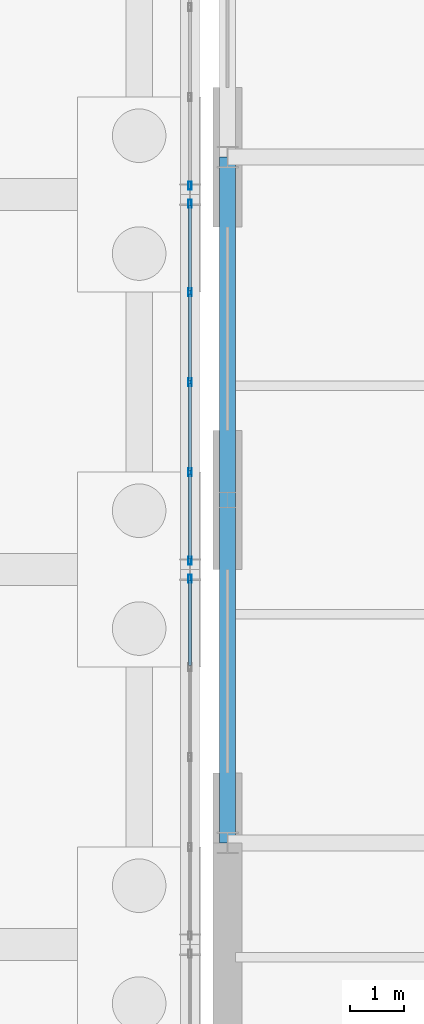
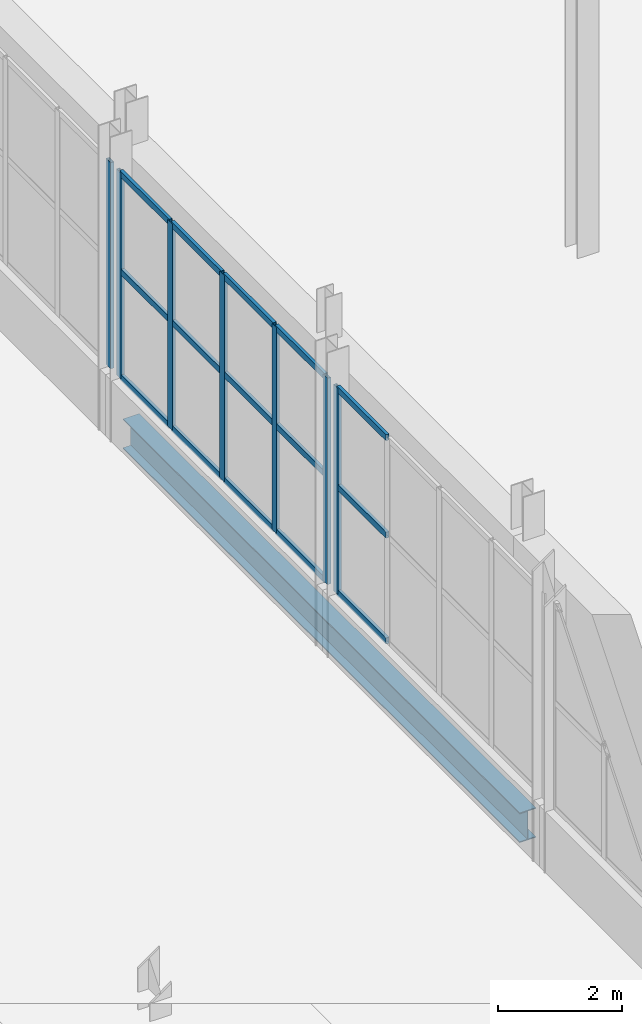
# One storey, part 60 of 139: 22 members, 1 beam, 3 elements without a shape of their own.
"""IFC4 building model written with IfcOpenShell, lengths in metres."""

from ifc_helpers import new_model, si_unit, direction, frame, origin, origin_2d, place, context, subcontext, project, spatial, hollow_rectangle, i_section, extrude, material, material_profile, profile_set, type_object, element, aggregate, save


model = new_model("IFC4")

# Units and contexts
model_context = context("Model", 3, precision=1e-05, world=origin(), true_north=direction((0.0, 1.0)))
body_context = subcontext(model_context, "Body", "Model", "MODEL_VIEW")
ifc_project = project(units=[si_unit("LENGTHUNIT", "METRE"), si_unit("AREAUNIT", "SQUARE_METRE"), si_unit("VOLUMEUNIT", "CUBIC_METRE"), si_unit("PLANEANGLEUNIT", "RADIAN"), si_unit("MASSUNIT", "GRAM", prefix="KILO")], contexts=[model_context])

# Site, building, storey
site_placement = place(None, origin())
site = spatial("IfcSite", under=ifc_project, at=site_placement, CompositionType="ELEMENT")
building_placement = place(site_placement, origin())
building = spatial("IfcBuilding", under=site, at=building_placement, Name="Kazenagashi Tramway Depot", CompositionType="ELEMENT")
storey_placement = place(building_placement, origin())
storey = spatial("IfcBuildingStorey", under=building, at=storey_placement, Name="L01", CompositionType="ELEMENT", Elevation=0.0)

# Curtain wall, member
ifc_material_1 = material(Name="Anodised Aluminium and Low-E Glazing", Category="aluminium")
curtain_wall_type = type_object("IfcCurtainWallType", Name="CW-33", PredefinedType="USERDEFINED", material=ifc_material_1)
curtain_wall_1_placement = place(storey_placement, origin())
curtain_wall_1 = element("IfcCurtainWall", 1, at=curtain_wall_1_placement, inside=storey, type_object=curtain_wall_type, Name="Industrial Glazed Screen CW-33 CW-0185", ObjectType="GLAZED SCREEN", PredefinedType="USERDEFINED")
ifc_material_2 = material(Name="Anodised Aluminium", Category="aluminium")
ifc_material_profile_1 = material_profile(ifc_material_2, hollow_rectangle(XDim=0.06, YDim=0.15, WallThickness=0.004, at=origin_2d()), Name="RHS-150x60x4")
ifc_profile_set_1 = profile_set([ifc_material_profile_1], Name="Anodised Aluminium")
member_type_1 = type_object("IfcMemberType", Name="ML-01", PredefinedType="MULLION", material=ifc_profile_set_1)
member_1_placement = place(storey_placement, frame((44.1, 27.83, 1.2), z_axis=(0.0, 0.0, 1.0), x_axis=(-1.0, 0.0, 0.0)))
member_1 = element("IfcMember", 2, at=member_1_placement, type_object=member_type_1, Name="CW-33 mullion 5", PredefinedType="MULLION", context=body_context, shape_type="SweptSolid", body=[
    extrude(hollow_rectangle(XDim=0.06, YDim=0.15, WallThickness=0.004, at=origin_2d()), origin(), (0.0, 0.0, 1.0), 4.062),
])

# Curtain wall, members
curtain_wall_2_placement = place(storey_placement, origin())
curtain_wall_2 = element("IfcCurtainWall", 3, at=curtain_wall_2_placement, inside=storey, type_object=curtain_wall_type, Name="Industrial Glazed Screen CW-33 CW-0187", ObjectType="GLAZED SCREEN", PredefinedType="USERDEFINED")
member_2_placement = place(storey_placement, frame((44.1, 28.17, 1.2), z_axis=(0.0, 0.0, 1.0), x_axis=(-1.0, 0.0, 0.0)))
member_2 = element("IfcMember", 4, at=member_2_placement, type_object=member_type_1, Name="CW-33 mullion 1", PredefinedType="MULLION", context=body_context, shape_type="SweptSolid", body=[
    extrude(hollow_rectangle(XDim=0.06, YDim=0.15, WallThickness=0.004, at=origin_2d()), origin(), (0.0, 0.0, 1.0), 4.062),
])
member_3_placement = place(storey_placement, frame((44.1, 29.82, 1.2), z_axis=(0.0, 0.0, 1.0), x_axis=(-1.0, 0.0, 0.0)))
member_3 = element("IfcMember", 5, at=member_3_placement, type_object=member_type_1, Name="CW-33 mullion 2", PredefinedType="MULLION", context=body_context, shape_type="SweptSolid", body=[
    extrude(hollow_rectangle(XDim=0.06, YDim=0.15, WallThickness=0.004, at=origin_2d()), origin(), (0.0, 0.0, 1.0), 4.062),
])
member_4_placement = place(storey_placement, frame((44.1, 31.5, 1.2), z_axis=(0.0, 0.0, 1.0), x_axis=(-1.0, 0.0, 0.0)))
member_4 = element("IfcMember", 6, at=member_4_placement, type_object=member_type_1, Name="CW-33 mullion 3", PredefinedType="MULLION", context=body_context, shape_type="SweptSolid", body=[
    extrude(hollow_rectangle(XDim=0.06, YDim=0.15, WallThickness=0.004, at=origin_2d()), origin(), (0.0, 0.0, 1.0), 4.062),
])
member_5_placement = place(storey_placement, frame((44.1, 33.18, 1.2), z_axis=(0.0, 0.0, 1.0), x_axis=(-1.0, 0.0, 0.0)))
member_5 = element("IfcMember", 7, at=member_5_placement, type_object=member_type_1, Name="CW-33 mullion 4", PredefinedType="MULLION", context=body_context, shape_type="SweptSolid", body=[
    extrude(hollow_rectangle(XDim=0.06, YDim=0.15, WallThickness=0.004, at=origin_2d()), origin(), (0.0, 0.0, 1.0), 4.062),
])
member_6_placement = place(storey_placement, frame((44.1, 34.83, 1.2), z_axis=(0.0, 0.0, 1.0), x_axis=(-1.0, 0.0, 0.0)))
member_6 = element("IfcMember", 8, at=member_6_placement, type_object=member_type_1, Name="CW-33 mullion 5", PredefinedType="MULLION", context=body_context, shape_type="SweptSolid", body=[
    extrude(hollow_rectangle(XDim=0.06, YDim=0.15, WallThickness=0.004, at=origin_2d()), origin(), (0.0, 0.0, 1.0), 4.062),
])

# Curtain wall, member
curtain_wall_3_placement = place(storey_placement, origin())
curtain_wall_3 = element("IfcCurtainWall", 9, at=curtain_wall_3_placement, inside=storey, type_object=curtain_wall_type, Name="Industrial Glazed Screen CW-33 CW-0189", ObjectType="GLAZED SCREEN", PredefinedType="USERDEFINED")
member_7_placement = place(storey_placement, frame((44.1, 35.17, 1.2), z_axis=(0.0, 0.0, 1.0), x_axis=(-1.0, 0.0, 0.0)))
member_7 = element("IfcMember", 10, at=member_7_placement, type_object=member_type_1, Name="CW-33 mullion 1", PredefinedType="MULLION", context=body_context, shape_type="SweptSolid", body=[
    extrude(hollow_rectangle(XDim=0.06, YDim=0.15, WallThickness=0.004, at=origin_2d()), origin(), (0.0, 0.0, 1.0), 4.062),
])
aggregate(curtain_wall_3, [member_7])

# Beam
ifc_material_3 = material(Name="Steel SN490B", Category="steel")
ifc_material_profile_2 = material_profile(ifc_material_3, i_section(OverallWidth=0.3, OverallDepth=0.588, WebThickness=0.012, FlangeThickness=0.02, at=origin_2d()), Name="H-588x300x12x20")
ifc_profile_set_2 = profile_set([ifc_material_profile_2], Name="Steel SN490B")
beam_type = type_object("IfcBeamType", Name="SP-01", PredefinedType="SPANDREL", material=ifc_profile_set_2)
beam_placement = place(storey_placement, frame((44.8, 22.9, -0.644), z_axis=(0.0, 1.0, 0.0), x_axis=(-1.0, 0.0, 0.0)))
element("IfcBeam", 11, at=beam_placement, inside=storey, type_object=beam_type, Name="Beam SP-01 BM-0804", PredefinedType="SPANDREL", context=body_context, shape_type="SweptSolid", body=[
    extrude(i_section(OverallWidth=0.3, OverallDepth=0.588, WebThickness=0.012, FlangeThickness=0.02, at=origin_2d()), origin(), (0.0, 0.0, 1.0), 12.8),
])

# Member
ifc_material_profile_3 = material_profile(ifc_material_2, hollow_rectangle(XDim=0.06, YDim=0.12, WallThickness=0.004, at=origin_2d()), Name="RHS-120x60x4")
ifc_profile_set_3 = profile_set([ifc_material_profile_3], Name="Anodised Aluminium")
member_type_2 = type_object("IfcMemberType", Name="TR-01", PredefinedType="USERDEFINED", material=ifc_profile_set_3)
member_8_placement = place(storey_placement, frame((44.1, 26.21, 1.23), z_axis=(0.0, 1.0, 0.0), x_axis=(-1.0, 0.0, 0.0)))
member_8 = element("IfcMember", 12, at=member_8_placement, type_object=member_type_2, Name="CW-33 transom 4.1", ObjectType="TRANSOM", PredefinedType="USERDEFINED", context=body_context, shape_type="SweptSolid", body=[
    extrude(hollow_rectangle(XDim=0.06, YDim=0.12, WallThickness=0.004, at=origin_2d()), origin(), (0.0, 0.0, 1.0), 1.59),
])

member_9_placement = place(storey_placement, frame((44.1, 26.21, 3.312), z_axis=(0.0, 1.0, 0.0), x_axis=(-1.0, 0.0, 0.0)))
member_9 = element("IfcMember", 13, at=member_9_placement, type_object=member_type_2, Name="CW-33 transom 4.2", ObjectType="TRANSOM", PredefinedType="USERDEFINED", context=body_context, shape_type="SweptSolid", body=[
    extrude(hollow_rectangle(XDim=0.06, YDim=0.12, WallThickness=0.004, at=origin_2d()), origin(), (0.0, 0.0, 1.0), 1.59),
])

member_10_placement = place(storey_placement, frame((44.1, 26.21, 5.232), z_axis=(0.0, 1.0, 0.0), x_axis=(-1.0, 0.0, 0.0)))
member_10 = element("IfcMember", 14, at=member_10_placement, type_object=member_type_2, Name="CW-33 transom 4.3", ObjectType="TRANSOM", PredefinedType="USERDEFINED", context=body_context, shape_type="SweptSolid", body=[
    extrude(hollow_rectangle(XDim=0.06, YDim=0.12, WallThickness=0.004, at=origin_2d()), origin(), (0.0, 0.0, 1.0), 1.59),
])

aggregate(curtain_wall_1, [member_1, member_8, member_9, member_10])

member_11_placement = place(storey_placement, frame((44.1, 28.2, 1.23), z_axis=(0.0, 1.0, 0.0), x_axis=(-1.0, 0.0, 0.0)))
member_11 = element("IfcMember", 15, at=member_11_placement, type_object=member_type_2, Name="CW-33 transom 1.1", ObjectType="TRANSOM", PredefinedType="USERDEFINED", context=body_context, shape_type="SweptSolid", body=[
    extrude(hollow_rectangle(XDim=0.06, YDim=0.12, WallThickness=0.004, at=origin_2d()), origin(), (0.0, 0.0, 1.0), 1.59),
])

member_12_placement = place(storey_placement, frame((44.1, 28.2, 3.312), z_axis=(0.0, 1.0, 0.0), x_axis=(-1.0, 0.0, 0.0)))
member_12 = element("IfcMember", 16, at=member_12_placement, type_object=member_type_2, Name="CW-33 transom 1.2", ObjectType="TRANSOM", PredefinedType="USERDEFINED", context=body_context, shape_type="SweptSolid", body=[
    extrude(hollow_rectangle(XDim=0.06, YDim=0.12, WallThickness=0.004, at=origin_2d()), origin(), (0.0, 0.0, 1.0), 1.59),
])

member_13_placement = place(storey_placement, frame((44.1, 28.2, 5.232), z_axis=(0.0, 1.0, 0.0), x_axis=(-1.0, 0.0, 0.0)))
member_13 = element("IfcMember", 17, at=member_13_placement, type_object=member_type_2, Name="CW-33 transom 1.3", ObjectType="TRANSOM", PredefinedType="USERDEFINED", context=body_context, shape_type="SweptSolid", body=[
    extrude(hollow_rectangle(XDim=0.06, YDim=0.12, WallThickness=0.004, at=origin_2d()), origin(), (0.0, 0.0, 1.0), 1.59),
])

member_14_placement = place(storey_placement, frame((44.1, 29.85, 1.23), z_axis=(0.0, 1.0, 0.0), x_axis=(-1.0, 0.0, 0.0)))
member_14 = element("IfcMember", 18, at=member_14_placement, type_object=member_type_2, Name="CW-33 transom 2.1", ObjectType="TRANSOM", PredefinedType="USERDEFINED", context=body_context, shape_type="SweptSolid", body=[
    extrude(hollow_rectangle(XDim=0.06, YDim=0.12, WallThickness=0.004, at=origin_2d()), origin(), (0.0, 0.0, 1.0), 1.62),
])

member_15_placement = place(storey_placement, frame((44.1, 29.85, 3.312), z_axis=(0.0, 1.0, 0.0), x_axis=(-1.0, 0.0, 0.0)))
member_15 = element("IfcMember", 19, at=member_15_placement, type_object=member_type_2, Name="CW-33 transom 2.2", ObjectType="TRANSOM", PredefinedType="USERDEFINED", context=body_context, shape_type="SweptSolid", body=[
    extrude(hollow_rectangle(XDim=0.06, YDim=0.12, WallThickness=0.004, at=origin_2d()), origin(), (0.0, 0.0, 1.0), 1.62),
])

member_16_placement = place(storey_placement, frame((44.1, 29.85, 5.232), z_axis=(0.0, 1.0, 0.0), x_axis=(-1.0, 0.0, 0.0)))
member_16 = element("IfcMember", 20, at=member_16_placement, type_object=member_type_2, Name="CW-33 transom 2.3", ObjectType="TRANSOM", PredefinedType="USERDEFINED", context=body_context, shape_type="SweptSolid", body=[
    extrude(hollow_rectangle(XDim=0.06, YDim=0.12, WallThickness=0.004, at=origin_2d()), origin(), (0.0, 0.0, 1.0), 1.62),
])

member_17_placement = place(storey_placement, frame((44.1, 31.53, 1.23), z_axis=(0.0, 1.0, 0.0), x_axis=(-1.0, 0.0, 0.0)))
member_17 = element("IfcMember", 21, at=member_17_placement, type_object=member_type_2, Name="CW-33 transom 3.1", ObjectType="TRANSOM", PredefinedType="USERDEFINED", context=body_context, shape_type="SweptSolid", body=[
    extrude(hollow_rectangle(XDim=0.06, YDim=0.12, WallThickness=0.004, at=origin_2d()), origin(), (0.0, 0.0, 1.0), 1.62),
])

member_18_placement = place(storey_placement, frame((44.1, 31.53, 3.312), z_axis=(0.0, 1.0, 0.0), x_axis=(-1.0, 0.0, 0.0)))
member_18 = element("IfcMember", 22, at=member_18_placement, type_object=member_type_2, Name="CW-33 transom 3.2", ObjectType="TRANSOM", PredefinedType="USERDEFINED", context=body_context, shape_type="SweptSolid", body=[
    extrude(hollow_rectangle(XDim=0.06, YDim=0.12, WallThickness=0.004, at=origin_2d()), origin(), (0.0, 0.0, 1.0), 1.62),
])

member_19_placement = place(storey_placement, frame((44.1, 31.53, 5.232), z_axis=(0.0, 1.0, 0.0), x_axis=(-1.0, 0.0, 0.0)))
member_19 = element("IfcMember", 23, at=member_19_placement, type_object=member_type_2, Name="CW-33 transom 3.3", ObjectType="TRANSOM", PredefinedType="USERDEFINED", context=body_context, shape_type="SweptSolid", body=[
    extrude(hollow_rectangle(XDim=0.06, YDim=0.12, WallThickness=0.004, at=origin_2d()), origin(), (0.0, 0.0, 1.0), 1.62),
])

member_20_placement = place(storey_placement, frame((44.1, 33.21, 1.23), z_axis=(0.0, 1.0, 0.0), x_axis=(-1.0, 0.0, 0.0)))
member_20 = element("IfcMember", 24, at=member_20_placement, type_object=member_type_2, Name="CW-33 transom 4.1", ObjectType="TRANSOM", PredefinedType="USERDEFINED", context=body_context, shape_type="SweptSolid", body=[
    extrude(hollow_rectangle(XDim=0.06, YDim=0.12, WallThickness=0.004, at=origin_2d()), origin(), (0.0, 0.0, 1.0), 1.59),
])

member_21_placement = place(storey_placement, frame((44.1, 33.21, 3.312), z_axis=(0.0, 1.0, 0.0), x_axis=(-1.0, 0.0, 0.0)))
member_21 = element("IfcMember", 25, at=member_21_placement, type_object=member_type_2, Name="CW-33 transom 4.2", ObjectType="TRANSOM", PredefinedType="USERDEFINED", context=body_context, shape_type="SweptSolid", body=[
    extrude(hollow_rectangle(XDim=0.06, YDim=0.12, WallThickness=0.004, at=origin_2d()), origin(), (0.0, 0.0, 1.0), 1.59),
])

member_22_placement = place(storey_placement, frame((44.1, 33.21, 5.232), z_axis=(0.0, 1.0, 0.0), x_axis=(-1.0, 0.0, 0.0)))
member_22 = element("IfcMember", 26, at=member_22_placement, type_object=member_type_2, Name="CW-33 transom 4.3", ObjectType="TRANSOM", PredefinedType="USERDEFINED", context=body_context, shape_type="SweptSolid", body=[
    extrude(hollow_rectangle(XDim=0.06, YDim=0.12, WallThickness=0.004, at=origin_2d()), origin(), (0.0, 0.0, 1.0), 1.59),
])

aggregate(curtain_wall_2, [member_2, member_3, member_4, member_5, member_6, member_11, member_12, member_13, member_14, member_15, member_16, member_17, member_18, member_19, member_20, member_21, member_22])

save(model, "model.ifc")
